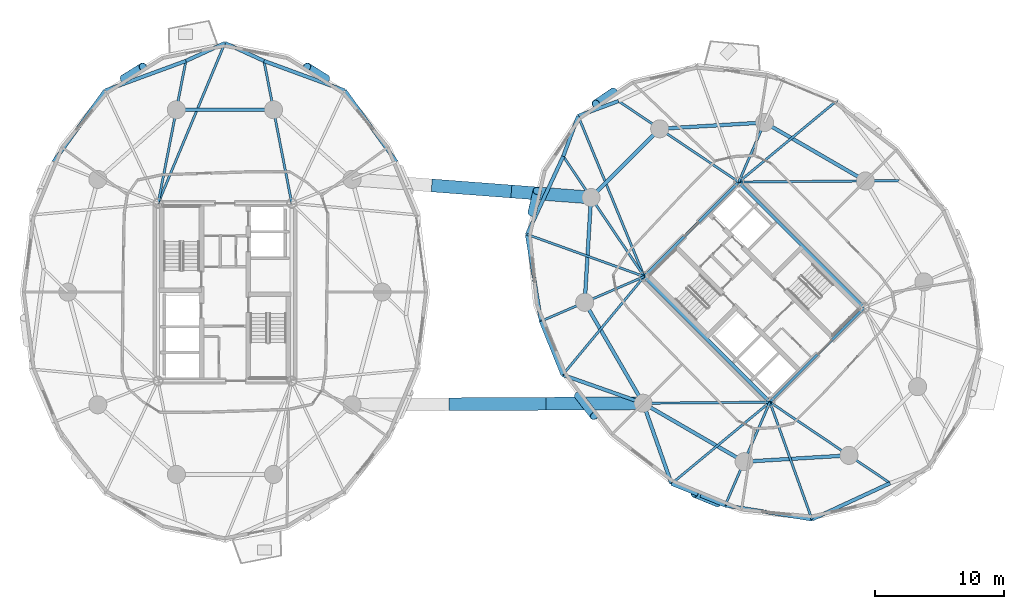
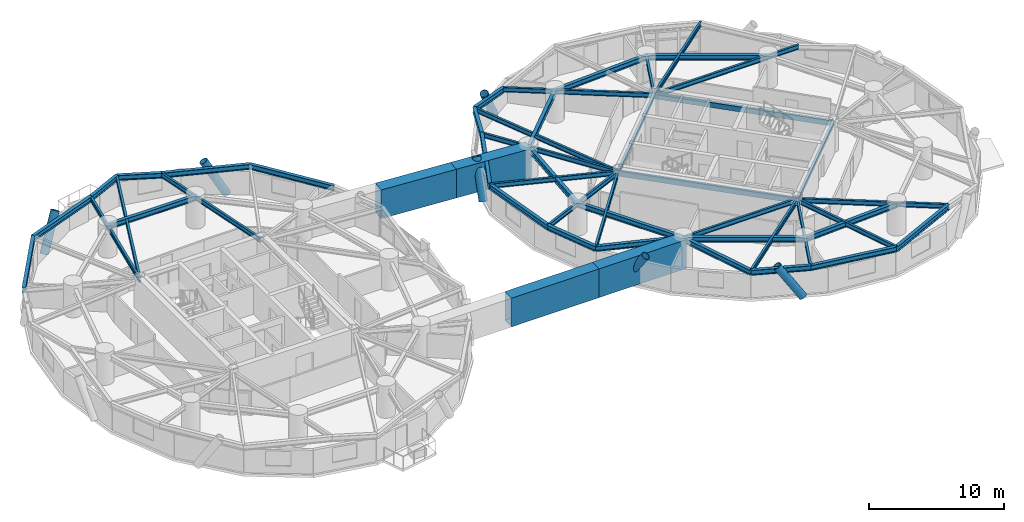
# One storey, part 5 of 18: 49 beams, 6 members.
"""IFC4 building model written with IfcOpenShell, lengths in metres."""

from ifc_helpers import new_model, si_unit, direction, frame, origin, origin_2d, place, context, subcontext, project, spatial, hollow_rectangle, hollow_circle, i_section, extrude, material, material_profile, profile_set, type_object, element, save


model = new_model("IFC4")

# Units and contexts
model_context = context("Model", 3, precision=1e-05, world=origin(), true_north=direction((0.0, 1.0)))
body_context = subcontext(model_context, "Body", "Model", "MODEL_VIEW")
ifc_project = project(units=[si_unit("LENGTHUNIT", "METRE"), si_unit("AREAUNIT", "SQUARE_METRE"), si_unit("VOLUMEUNIT", "CUBIC_METRE"), si_unit("PLANEANGLEUNIT", "RADIAN"), si_unit("MASSUNIT", "GRAM", prefix="KILO")], contexts=[model_context])

# Site, building, storey
site_placement = place(None, origin())
site = spatial("IfcSite", under=ifc_project, at=site_placement, CompositionType="ELEMENT")
building_placement = place(site_placement, origin())
building = spatial("IfcBuilding", under=site, at=building_placement, Name="Cununo Teusaquillo Station Towers", CompositionType="ELEMENT")
storey_placement = place(building_placement, frame((0.0, 0.0, 122.530029296875)))
storey = spatial("IfcBuildingStorey", under=building, at=storey_placement, Name="L39", CompositionType="ELEMENT", Elevation=122.530029296875)

# Beams
ifc_material_1 = material(Name="Steel EN 10025-2 S355J2", Category="steel")
ifc_material_profile_1 = material_profile(ifc_material_1, hollow_rectangle(XDim=0.25, YDim=0.449951171875, WallThickness=0.01611328125, at=origin_2d()), Name="RHS 450x250x16")
ifc_profile_set_1 = profile_set([ifc_material_profile_1], Name="Steel EN 10025-2 S355J2")
beam_type_1 = type_object("IfcBeamType", Name="BM-COUP-1", PredefinedType="USERDEFINED", material=ifc_profile_set_1)
for number, where, z_axis, x_axis, name in (
    (1, (58.70556640625, 15.975830078125, 2.405029296875), (-0.707106781187, 0.707106781187, 0.0), (-0.707106781187, -0.707106781187, 0.0), "L39 Tower B Core Beam 1"),
    (2, (66.024169921875, 23.29443359375, 2.405029296875), (-0.707106781187, 0.707106781187, 0.0), (-0.707106781187, -0.707106781187, 0.0), "L39 Tower B Core Beam 2"),
):
    element("IfcBeam", number, at=place(storey_placement, frame(where, z_axis=z_axis, x_axis=x_axis)), inside=storey, type_object=beam_type_1, Name=name, ObjectType="COUPLING BEAM", PredefinedType="USERDEFINED", context=body_context, shape_type="SweptSolid", body=[
        extrude(hollow_rectangle(XDim=0.25, YDim=0.449951171875, WallThickness=0.01611328125, at=origin_2d()), origin(), (0.0, 0.0, 1.0), 13.760009765625),
    ])
ifc_material_2 = material(Name="Steel ASTM A572 Grade 50", Category="steel")
ifc_material_profile_2 = material_profile(ifc_material_2, i_section(OverallWidth=0.180908203125, OverallDepth=0.4169921875, WebThickness=0.010986328125, FlangeThickness=0.018310546875, FilletRadius=0.012939453125, at=origin_2d()), Name="W16X57")
ifc_profile_set_2 = profile_set([ifc_material_profile_2], Name="Steel ASTM A572 Grade 50")
beam_type_2 = type_object("IfcBeamType", Name="BM-JOIST-1", PredefinedType="JOIST", material=ifc_profile_set_2)
beam_1_placement = place(storey_placement, frame((11.324951171875, 31.3798828125, 2.42138671875), z_axis=(0.38487837995, 0.922967297713, 0.0), x_axis=(-0.922967297713, 0.38487837995, 0.0)))
element("IfcBeam", 3, at=beam_1_placement, inside=storey, type_object=beam_type_2, Name="L39 Tower A Radial Spandrel Joist V05", PredefinedType="JOIST", context=body_context, shape_type="SweptSolid", body=[
    extrude(i_section(OverallWidth=0.180908203125, OverallDepth=0.4169921875, WebThickness=0.010986328125, FlangeThickness=0.018310546875, FilletRadius=0.012939453125, at=origin_2d()), origin(), (0.0, 0.0, 1.0), 13.446044921875),
])
beam_2_placement = place(storey_placement, frame((56.29443359375, 33.024169921875, 2.42138671875), z_axis=(0.769727799615, 0.638372238196, 0.0), x_axis=(-0.638372238196, 0.769727799615, 0.0)))
element("IfcBeam", 4, at=beam_2_placement, inside=storey, type_object=beam_type_2, Name="L39 Tower B Radial Spandrel Joist V01", PredefinedType="JOIST", context=body_context, shape_type="SweptSolid", body=[
    extrude(i_section(OverallWidth=0.180908203125, OverallDepth=0.4169921875, WebThickness=0.010986328125, FlangeThickness=0.018310546875, FilletRadius=0.012939453125, at=origin_2d()), origin(), (0.0, 0.0, 1.0), 9.895263671875),
])
beam_3_placement = place(storey_placement, frame((48.975830078125, 25.70556640625, 2.42138671875), z_axis=(-0.380485864505, 0.924786735908, 0.0), x_axis=(-0.924786735908, -0.380485864505, 0.0)))
element("IfcBeam", 5, at=beam_3_placement, inside=storey, type_object=beam_type_2, Name="L39 Tower B Radial Spandrel Joist V05", PredefinedType="JOIST", context=body_context, shape_type="SweptSolid", body=[
    extrude(i_section(OverallWidth=0.180908203125, OverallDepth=0.4169921875, WebThickness=0.010986328125, FlangeThickness=0.018310546875, FilletRadius=0.012939453125, at=origin_2d()), origin(), (0.0, 0.0, 1.0), 13.44580078125),
])
beam_4_placement = place(storey_placement, frame((48.975830078125, 25.70556640625, 2.42138671875), z_axis=(-0.941082771055, 0.338176312038, 0.0), x_axis=(-0.338176312038, -0.941082771055, 0.0)))
element("IfcBeam", 6, at=beam_4_placement, inside=storey, type_object=beam_type_2, Name="L39 Tower B Radial Spandrel Joist V07", PredefinedType="JOIST", context=body_context, shape_type="SweptSolid", body=[
    extrude(i_section(OverallWidth=0.180908203125, OverallDepth=0.4169921875, WebThickness=0.010986328125, FlangeThickness=0.018310546875, FilletRadius=0.012939453125, at=origin_2d()), origin(), (0.0, 0.0, 1.0), 9.646484375),
])
for number, where, z_axis, x_axis, name in (
    (7, (48.975830078125, 25.70556640625, 2.42138671875), (-0.638372238196, -0.769727799615, 0.0), (0.769727799615, -0.638372238196, 0.0), "L39 Tower B Radial Spandrel Joist V09"),
    (8, (58.70556640625, 15.975830078125, 2.42138671875), (-0.769727799615, -0.638372238196, 0.0), (0.638372238196, -0.769727799615, 0.0), "L39 Tower B Radial Spandrel Joist V11"),
):
    element("IfcBeam", number, at=place(storey_placement, frame(where, z_axis=z_axis, x_axis=x_axis)), inside=storey, type_object=beam_type_2, Name=name, PredefinedType="JOIST", context=body_context, shape_type="SweptSolid", body=[
        extrude(i_section(OverallWidth=0.180908203125, OverallDepth=0.4169921875, WebThickness=0.010986328125, FlangeThickness=0.018310546875, FilletRadius=0.012939453125, at=origin_2d()), origin(), (0.0, 0.0, 1.0), 9.895263671875),
    ])
beam_5_placement = place(storey_placement, frame((58.70556640625, 15.975830078125, 2.42138671875), z_axis=(0.338176312038, -0.941082771055, 0.0), x_axis=(0.941082771055, 0.338176312038, 0.0)))
element("IfcBeam", 9, at=beam_5_placement, inside=storey, type_object=beam_type_2, Name="L39 Tower B Radial Spandrel Joist V13", PredefinedType="JOIST", context=body_context, shape_type="SweptSolid", body=[
    extrude(i_section(OverallWidth=0.180908203125, OverallDepth=0.4169921875, WebThickness=0.010986328125, FlangeThickness=0.018310546875, FilletRadius=0.012939453125, at=origin_2d()), origin(), (0.0, 0.0, 1.0), 9.646484375),
])
ifc_material_3 = material(Name="Steel ASTM A572 Grade 50", Category="steel")
ifc_material_profile_3 = material_profile(ifc_material_3, i_section(OverallWidth=0.2041015625, OverallDepth=0.35009765625, WebThickness=0.008544921875, FlangeThickness=0.01513671875, FilletRadius=0.011962890625, at=origin_2d()), Name="W14X48")
ifc_profile_set_3 = profile_set([ifc_material_profile_3], Name="Steel ASTM A572 Grade 50")
beam_type_3 = type_object("IfcBeamType", Name="BM-LINTEL-1", PredefinedType="LINTEL", material=ifc_profile_set_3)
for number, where, z_axis, x_axis, name in (
    (10, (58.70556640625, 15.975830078125, 2.455078125), (0.707106781187, 0.707106781187, 0.0), (-0.707106781187, 0.707106781187, 0.0), "L39 Tower B Core Beam 3"),
    (11, (48.975830078125, 25.70556640625, 2.455078125), (0.707106781187, 0.707106781187, 0.0), (-0.707106781187, 0.707106781187, 0.0), "L39 Tower B Core Beam 4"),
):
    element("IfcBeam", number, at=place(storey_placement, frame(where, z_axis=z_axis, x_axis=x_axis)), inside=storey, type_object=beam_type_3, Name=name, PredefinedType="LINTEL", context=body_context, shape_type="SweptSolid", body=[
        extrude(i_section(OverallWidth=0.2041015625, OverallDepth=0.35009765625, WebThickness=0.008544921875, FlangeThickness=0.01513671875, FilletRadius=0.011962890625, at=origin_2d()), origin(), (0.0, 0.0, 1.0), 10.35009765625),
    ])
ifc_material_4 = material(Name="Steel ASTM A572 Grade 50", Category="steel")
ifc_material_profile_4 = material_profile(ifc_material_4, i_section(OverallWidth=0.180908203125, OverallDepth=0.4169921875, WebThickness=0.010986328125, FlangeThickness=0.018310546875, FilletRadius=0.012939453125, at=origin_2d()), Name="W16X57")
ifc_profile_set_4 = profile_set([ifc_material_profile_4], Name="Steel ASTM A572 Grade 50")
beam_type_4 = type_object("IfcBeamType", Name="BM-RAD-G2", PredefinedType="BEAM", material=ifc_profile_set_4)
for number, where, z_axis, x_axis, name in (
    (12, (21.675048828125, 31.3798828125, 2.42138671875), (-0.191552755713, 0.981482318628, 0.0), (-0.981482318628, -0.191552755713, 0.0), "L39 Tower A Continuous Overhanging Radial Girder 03"),
    (13, (11.324951171875, 31.3798828125, 2.42138671875), (0.191552755713, 0.981482318628, 0.0), (-0.981482318628, 0.191552755713, 0.0), "L39 Tower A Continuous Overhanging Radial Girder 04"),
):
    element("IfcBeam", number, at=place(storey_placement, frame(where, z_axis=z_axis, x_axis=x_axis)), inside=storey, type_object=beam_type_4, Name=name, PredefinedType="BEAM", context=body_context, shape_type="SweptSolid", body=[
        extrude(i_section(OverallWidth=0.180908203125, OverallDepth=0.4169921875, WebThickness=0.010986328125, FlangeThickness=0.018310546875, FilletRadius=0.012939453125, at=origin_2d()), origin(), (0.0, 0.0, 1.0), 11.22998046875),
    ])
beam_6_placement = place(storey_placement, frame((56.29443359375, 33.024169921875, 2.42138671875), z_axis=(0.999964331255, 0.008446077024, 0.0), x_axis=(-0.008446077024, 0.999964331255, 0.0)))
element("IfcBeam", 14, at=beam_6_placement, inside=storey, type_object=beam_type_4, Name="L39 Tower B Continuous Overhanging Radial Girder 01", PredefinedType="BEAM", context=body_context, shape_type="SweptSolid", body=[
    extrude(i_section(OverallWidth=0.180908203125, OverallDepth=0.4169921875, WebThickness=0.010986328125, FlangeThickness=0.018310546875, FilletRadius=0.012939453125, at=origin_2d()), origin(), (0.0, 0.0, 1.0), 12.400634765625),
])
beam_7_placement = place(storey_placement, frame((56.29443359375, 33.024169921875, 2.42138671875), z_axis=(0.397346986387, 0.917668443616, 0.0), x_axis=(-0.917668443616, 0.397346986387, 0.0)))
element("IfcBeam", 15, at=beam_7_placement, inside=storey, type_object=beam_type_4, Name="L39 Tower B Radial Girder 02A", PredefinedType="BEAM", context=body_context, shape_type="SweptSolid", body=[
    extrude(i_section(OverallWidth=0.180908203125, OverallDepth=0.4169921875, WebThickness=0.010986328125, FlangeThickness=0.018310546875, FilletRadius=0.012939453125, at=origin_2d()), origin(), (0.0, 0.0, 1.0), 5.02490234375),
])
for number, where, z_axis, x_axis, name in (
    (16, (56.29443359375, 33.024169921875, 2.42138671875), (-0.82945583878, 0.558572297481, 0.0), (-0.558572297481, -0.82945583878, 0.0), "L39 Tower B Continuous Overhanging Radial Girder 03"),
    (17, (48.975830078125, 25.70556640625, 2.42138671875), (-0.558572297481, 0.82945583878, 0.0), (-0.82945583878, -0.558572297481, 0.0), "L39 Tower B Continuous Overhanging Radial Girder 04"),
):
    element("IfcBeam", number, at=place(storey_placement, frame(where, z_axis=z_axis, x_axis=x_axis)), inside=storey, type_object=beam_type_4, Name=name, PredefinedType="BEAM", context=body_context, shape_type="SweptSolid", body=[
        extrude(i_section(OverallWidth=0.180908203125, OverallDepth=0.4169921875, WebThickness=0.010986328125, FlangeThickness=0.018310546875, FilletRadius=0.012939453125, at=origin_2d()), origin(), (0.0, 0.0, 1.0), 11.22998046875),
    ])
beam_8_placement = place(storey_placement, frame((48.975830078125, 25.70556640625, 2.42138671875), z_axis=(-0.917654733344, -0.397378648609, 0.0), x_axis=(0.397378648609, -0.917654733344, 0.0)))
element("IfcBeam", 18, at=beam_8_placement, inside=storey, type_object=beam_type_4, Name="L39 Tower B Continuous Overhanging Radial Girder 05", PredefinedType="BEAM", context=body_context, shape_type="SweptSolid", body=[
    extrude(i_section(OverallWidth=0.180908203125, OverallDepth=0.4169921875, WebThickness=0.010986328125, FlangeThickness=0.018310546875, FilletRadius=0.012939453125, at=origin_2d()), origin(), (0.0, 0.0, 1.0), 8.71484375),
])
beam_9_placement = place(storey_placement, frame((58.70556640625, 15.975830078125, 2.42138671875), z_axis=(-0.999964431382, -0.008434214327, 0.0), x_axis=(0.008434214327, -0.999964431382, 0.0)))
element("IfcBeam", 19, at=beam_9_placement, inside=storey, type_object=beam_type_4, Name="L39 Tower B Radial Girder 06A", PredefinedType="BEAM", context=body_context, shape_type="SweptSolid", body=[
    extrude(i_section(OverallWidth=0.180908203125, OverallDepth=0.4169921875, WebThickness=0.010986328125, FlangeThickness=0.018310546875, FilletRadius=0.012939453125, at=origin_2d()), origin(), (0.0, 0.0, 1.0), 9.812744140625),
])
beam_10_placement = place(storey_placement, frame((58.70556640625, 15.975830078125, 2.42138671875), z_axis=(-0.397378648609, -0.917654733344, 0.0), x_axis=(0.917654733344, -0.397378648609, 0.0)))
element("IfcBeam", 20, at=beam_10_placement, inside=storey, type_object=beam_type_4, Name="L39 Tower B Continuous Overhanging Radial Girder 07", PredefinedType="BEAM", context=body_context, shape_type="SweptSolid", body=[
    extrude(i_section(OverallWidth=0.180908203125, OverallDepth=0.4169921875, WebThickness=0.010986328125, FlangeThickness=0.018310546875, FilletRadius=0.012939453125, at=origin_2d()), origin(), (0.0, 0.0, 1.0), 8.71484375),
])
beam_11_placement = place(storey_placement, frame((58.70556640625, 15.975830078125, 2.42138671875), z_axis=(0.82945583878, -0.558572297481, 0.0), x_axis=(0.558572297481, 0.82945583878, 0.0)))
element("IfcBeam", 21, at=beam_11_placement, inside=storey, type_object=beam_type_4, Name="L39 Tower B Continuous Overhanging Radial Girder 08", PredefinedType="BEAM", context=body_context, shape_type="SweptSolid", body=[
    extrude(i_section(OverallWidth=0.180908203125, OverallDepth=0.4169921875, WebThickness=0.010986328125, FlangeThickness=0.018310546875, FilletRadius=0.012939453125, at=origin_2d()), origin(), (0.0, 0.0, 1.0), 11.22998046875),
])
ifc_material_5 = material(Name="Steel ASTM A572 Grade 50", Category="steel")
ifc_material_profile_5 = material_profile(ifc_material_5, i_section(OverallWidth=0.280029296875, OverallDepth=0.462890625, WebThickness=0.0107421875, FlangeThickness=0.017333984375, FilletRadius=0.013916015625, at=origin_2d()), Name="W18X76")
ifc_profile_set_5 = profile_set([ifc_material_profile_5], Name="Steel ASTM A572 Grade 50")
beam_type_5 = type_object("IfcBeamType", Name="BM-RING-Z2", PredefinedType="SPANDREL", material=ifc_profile_set_5)
beam_12_placement = place(storey_placement, frame((20.261474609375, 38.623291015625, 2.3984375), z_axis=(-1.0, 0.0, 0.0), x_axis=(0.0, -1.0, 0.0)))
element("IfcBeam", 22, at=beam_12_placement, inside=storey, type_object=beam_type_5, Name="L39 Tower A Structural Column Ring Girder 03", PredefinedType="SPANDREL", context=body_context, shape_type="SweptSolid", body=[
    extrude(i_section(OverallWidth=0.280029296875, OverallDepth=0.462890625, WebThickness=0.0107421875, FlangeThickness=0.017333984375, FilletRadius=0.013916015625, at=origin_2d()), origin(), (0.0, 0.0, 1.0), 7.52294921875),
])
beam_13_placement = place(storey_placement, frame((29.77880859375, 34.586181640625, 2.3984375), z_axis=(-0.58594455724, 0.810351143543, 0.0), x_axis=(-0.810351143543, -0.58594455724, 0.0)))
element("IfcBeam", 23, at=beam_13_placement, inside=storey, type_object=beam_type_5, Name="L39 Tower A Spandrel Ring Beam 03", PredefinedType="SPANDREL", context=body_context, shape_type="SweptSolid", body=[
    extrude(i_section(OverallWidth=0.280029296875, OverallDepth=0.462890625, WebThickness=0.0107421875, FlangeThickness=0.017333984375, FilletRadius=0.013916015625, at=origin_2d()), origin(), (0.0, 0.0, 1.0), 6.8115234375),
])
beam_14_placement = place(storey_placement, frame((25.78759765625, 40.10595703125, 2.3984375), z_axis=(-0.938914161016, 0.34415141761, 0.0), x_axis=(-0.34415141761, -0.938914161016, 0.0)))
element("IfcBeam", 24, at=beam_14_placement, inside=storey, type_object=beam_type_5, Name="L39 Tower A Spandrel Ring Beam 04", PredefinedType="SPANDREL", context=body_context, shape_type="SweptSolid", body=[
    extrude(i_section(OverallWidth=0.280029296875, OverallDepth=0.462890625, WebThickness=0.0107421875, FlangeThickness=0.017333984375, FilletRadius=0.013916015625, at=origin_2d()), origin(), (0.0, 0.0, 1.0), 6.671142578125),
])
for number, where, z_axis, x_axis, name in (
    (25, (19.52392578125, 42.40185546875, 2.3984375), (-0.908812215281, 0.417205413862, 0.0), (-0.417205413862, -0.908812215281, 0.0), "L39 Tower A Spandrel Ring Beam 05"),
    (26, (16.5, 43.7900390625, 2.3984375), (-0.908812215281, -0.417205413862, 0.0), (0.417205413862, -0.908812215281, 0.0), "L39 Tower A Spandrel Ring Beam 06"),
):
    element("IfcBeam", number, at=place(storey_placement, frame(where, z_axis=z_axis, x_axis=x_axis)), inside=storey, type_object=beam_type_5, Name=name, PredefinedType="SPANDREL", context=body_context, shape_type="SweptSolid", body=[
        extrude(i_section(OverallWidth=0.280029296875, OverallDepth=0.462890625, WebThickness=0.0107421875, FlangeThickness=0.017333984375, FilletRadius=0.013916015625, at=origin_2d()), origin(), (0.0, 0.0, 1.0), 3.327392578125),
    ])
beam_15_placement = place(storey_placement, frame((13.47607421875, 42.40185546875, 2.3984375), z_axis=(-0.938914161016, -0.34415141761, 0.0), x_axis=(0.34415141761, -0.938914161016, 0.0)))
element("IfcBeam", 27, at=beam_15_placement, inside=storey, type_object=beam_type_5, Name="L39 Tower A Spandrel Ring Beam 07", PredefinedType="SPANDREL", context=body_context, shape_type="SweptSolid", body=[
    extrude(i_section(OverallWidth=0.280029296875, OverallDepth=0.462890625, WebThickness=0.0107421875, FlangeThickness=0.017333984375, FilletRadius=0.013916015625, at=origin_2d()), origin(), (0.0, 0.0, 1.0), 6.671142578125),
])
beam_16_placement = place(storey_placement, frame((7.21240234375, 40.10595703125, 2.3984375), z_axis=(-0.58594455724, -0.810351143543, 0.0), x_axis=(0.810351143543, -0.58594455724, 0.0)))
element("IfcBeam", 28, at=beam_16_placement, inside=storey, type_object=beam_type_5, Name="L39 Tower A Spandrel Ring Beam 08", PredefinedType="SPANDREL", context=body_context, shape_type="SweptSolid", body=[
    extrude(i_section(OverallWidth=0.280029296875, OverallDepth=0.462890625, WebThickness=0.0107421875, FlangeThickness=0.017333984375, FilletRadius=0.013916015625, at=origin_2d()), origin(), (0.0, 0.0, 1.0), 6.8115234375),
])
beam_17_placement = place(storey_placement, frame((66.10693359375, 33.10693359375, 2.3984375), z_axis=(-0.865267103202, 0.501311121078, 0.0), x_axis=(-0.501311121078, -0.865267103202, 0.0)))
element("IfcBeam", 29, at=beam_17_placement, inside=storey, type_object=beam_type_5, Name="L39 Tower B Structural Column Ring Girder 01", PredefinedType="SPANDREL", context=body_context, shape_type="SweptSolid", body=[
    extrude(i_section(OverallWidth=0.280029296875, OverallDepth=0.462890625, WebThickness=0.0107421875, FlangeThickness=0.017333984375, FilletRadius=0.013916015625, at=origin_2d()), origin(), (0.0, 0.0, 1.0), 9.032958984375),
])
beam_18_placement = place(storey_placement, frame((58.291015625, 37.63525390625, 2.3984375), z_axis=(-0.998190567048, -0.06012979176, 0.0), x_axis=(0.06012979176, -0.998190567048, 0.0)))
element("IfcBeam", 30, at=beam_18_placement, inside=storey, type_object=beam_type_5, Name="L39 Tower B Structural Column Ring Girder 02", PredefinedType="SPANDREL", context=body_context, shape_type="SweptSolid", body=[
    extrude(i_section(OverallWidth=0.280029296875, OverallDepth=0.462890625, WebThickness=0.0107421875, FlangeThickness=0.017333984375, FilletRadius=0.013916015625, at=origin_2d()), origin(), (0.0, 0.0, 1.0), 8.132568359375),
])
beam_19_placement = place(storey_placement, frame((50.173095703125, 37.146240234375, 2.3984375), z_axis=(-0.707106781187, -0.707106781187, 0.0), x_axis=(0.707106781187, -0.707106781187, 0.0)))
element("IfcBeam", 31, at=beam_19_placement, inside=storey, type_object=beam_type_5, Name="L39 Tower B Structural Column Ring Girder 03", PredefinedType="SPANDREL", context=body_context, shape_type="SweptSolid", body=[
    extrude(i_section(OverallWidth=0.280029296875, OverallDepth=0.462890625, WebThickness=0.0107421875, FlangeThickness=0.017333984375, FilletRadius=0.013916015625, at=origin_2d()), origin(), (0.0, 0.0, 1.0), 7.522705078125),
])
beam_20_placement = place(storey_placement, frame((44.853759765625, 31.826904296875, 2.3984375), z_axis=(-0.06012979176, -0.998190567048, 0.0), x_axis=(0.998190567048, -0.06012979176, 0.0)))
element("IfcBeam", 32, at=beam_20_placement, inside=storey, type_object=beam_type_5, Name="L39 Tower B Structural Column Ring Girder 04", PredefinedType="SPANDREL", context=body_context, shape_type="SweptSolid", body=[
    extrude(i_section(OverallWidth=0.280029296875, OverallDepth=0.462890625, WebThickness=0.0107421875, FlangeThickness=0.017333984375, FilletRadius=0.013916015625, at=origin_2d()), origin(), (0.0, 0.0, 1.0), 8.132568359375),
])
for number, where, z_axis, x_axis, name in (
    (33, (44.36474609375, 23.708984375, 2.3984375), (0.501311121078, -0.865267103202, 0.0), (0.865267103202, 0.501311121078, 0.0), "L39 Tower B Structural Column Ring Girder 05"),
    (34, (48.89306640625, 15.89306640625, 2.3984375), (0.865267103202, -0.501311121078, 0.0), (0.501311121078, 0.865267103202, 0.0), "L39 Tower B Structural Column Ring Girder 06"),
):
    element("IfcBeam", number, at=place(storey_placement, frame(where, z_axis=z_axis, x_axis=x_axis)), inside=storey, type_object=beam_type_5, Name=name, PredefinedType="SPANDREL", context=body_context, shape_type="SweptSolid", body=[
        extrude(i_section(OverallWidth=0.280029296875, OverallDepth=0.462890625, WebThickness=0.0107421875, FlangeThickness=0.017333984375, FilletRadius=0.013916015625, at=origin_2d()), origin(), (0.0, 0.0, 1.0), 9.032958984375),
    ])
beam_21_placement = place(storey_placement, frame((56.708984375, 11.36474609375, 2.3984375), z_axis=(0.998190567048, 0.06012979176, 0.0), x_axis=(-0.06012979176, 0.998190567048, 0.0)))
element("IfcBeam", 35, at=beam_21_placement, inside=storey, type_object=beam_type_5, Name="L39 Tower B Structural Column Ring Girder 07", PredefinedType="SPANDREL", context=body_context, shape_type="SweptSolid", body=[
    extrude(i_section(OverallWidth=0.280029296875, OverallDepth=0.462890625, WebThickness=0.0107421875, FlangeThickness=0.017333984375, FilletRadius=0.013916015625, at=origin_2d()), origin(), (0.0, 0.0, 1.0), 8.132568359375),
])
for number, where, z_axis, x_axis, name in (
    (36, (46.979736328125, 39.296875, 2.3984375), (-0.937628334414, -0.347639333943, 0.0), (0.347639333943, -0.937628334414, 0.0), "L39 Tower B Spandrel Ring Beam 05"),
    (37, (43.85986328125, 38.14013671875, 2.3984375), (-0.347639333943, -0.937628334414, 0.0), (0.937628334414, -0.347639333943, 0.0), "L39 Tower B Spandrel Ring Beam 06"),
):
    element("IfcBeam", number, at=place(storey_placement, frame(where, z_axis=z_axis, x_axis=x_axis)), inside=storey, type_object=beam_type_5, Name=name, PredefinedType="SPANDREL", context=body_context, shape_type="SweptSolid", body=[
        extrude(i_section(OverallWidth=0.280029296875, OverallDepth=0.462890625, WebThickness=0.0107421875, FlangeThickness=0.017333984375, FilletRadius=0.013916015625, at=origin_2d()), origin(), (0.0, 0.0, 1.0), 3.327392578125),
    ])
beam_22_placement = place(storey_placement, frame((42.703125, 35.020263671875, 2.3984375), z_axis=(-0.420535961689, -0.907275870354, 0.0), x_axis=(0.907275870354, -0.420535961689, 0.0)))
element("IfcBeam", 38, at=beam_22_placement, inside=storey, type_object=beam_type_5, Name="L39 Tower B Spandrel Ring Beam 07", PredefinedType="SPANDREL", context=body_context, shape_type="SweptSolid", body=[
    extrude(i_section(OverallWidth=0.280029296875, OverallDepth=0.462890625, WebThickness=0.0107421875, FlangeThickness=0.017333984375, FilletRadius=0.013916015625, at=origin_2d()), origin(), (0.0, 0.0, 1.0), 6.671142578125),
])
beam_23_placement = place(storey_placement, frame((39.897705078125, 28.9677734375, 2.3984375), z_axis=(0.158671232312, -0.987331474246, 0.0), x_axis=(0.987331474246, 0.158671232312, 0.0)))
element("IfcBeam", 39, at=beam_23_placement, inside=storey, type_object=beam_type_5, Name="L39 Tower B Spandrel Ring Beam 08", PredefinedType="SPANDREL", context=body_context, shape_type="SweptSolid", body=[
    extrude(i_section(OverallWidth=0.280029296875, OverallDepth=0.462890625, WebThickness=0.0107421875, FlangeThickness=0.017333984375, FilletRadius=0.013916015625, at=origin_2d()), origin(), (0.0, 0.0, 1.0), 6.8115234375),
])
beam_24_placement = place(storey_placement, frame((40.978515625, 22.242431640625, 2.3984375), z_axis=(0.375042266631, -0.927007712072, 0.0), x_axis=(0.927007712072, 0.375042266631, 0.0)))
element("IfcBeam", 40, at=beam_24_placement, inside=storey, type_object=beam_type_5, Name="L39 Tower B Spandrel Ring Beam 09", PredefinedType="SPANDREL", context=body_context, shape_type="SweptSolid", body=[
    extrude(i_section(OverallWidth=0.280029296875, OverallDepth=0.462890625, WebThickness=0.0107421875, FlangeThickness=0.017333984375, FilletRadius=0.013916015625, at=origin_2d()), origin(), (0.0, 0.0, 1.0), 4.480712890625),
])
for number, where, z_axis, x_axis, name in (
    (41, (42.658935546875, 18.0888671875, 2.3984375), (0.943202901767, -0.332217227276, 0.0), (0.332217227276, 0.943202901767, 0.0), "L39 Tower B Spandrel Ring Beam 10"),
    (42, (48.89306640625, 15.89306640625, 2.3984375), (0.332217227276, -0.943202901767, 0.0), (0.943202901767, 0.332217227276, 0.0), "L39 Tower B Spandrel Ring Beam 11"),
):
    element("IfcBeam", number, at=place(storey_placement, frame(where, z_axis=z_axis, x_axis=x_axis)), inside=storey, type_object=beam_type_5, Name=name, PredefinedType="SPANDREL", context=body_context, shape_type="SweptSolid", body=[
        extrude(i_section(OverallWidth=0.280029296875, OverallDepth=0.462890625, WebThickness=0.0107421875, FlangeThickness=0.017333984375, FilletRadius=0.013916015625, at=origin_2d()), origin(), (0.0, 0.0, 1.0), 6.609619140625),
    ])
beam_25_placement = place(storey_placement, frame((51.0888671875, 9.658935546875, 2.3984375), z_axis=(0.927007712072, -0.375042266631, 0.0), x_axis=(0.375042266631, 0.927007712072, 0.0)))
element("IfcBeam", 43, at=beam_25_placement, inside=storey, type_object=beam_type_5, Name="L39 Tower B Spandrel Ring Beam 12", PredefinedType="SPANDREL", context=body_context, shape_type="SweptSolid", body=[
    extrude(i_section(OverallWidth=0.280029296875, OverallDepth=0.462890625, WebThickness=0.0107421875, FlangeThickness=0.017333984375, FilletRadius=0.013916015625, at=origin_2d()), origin(), (0.0, 0.0, 1.0), 4.480712890625),
])
beam_26_placement = place(storey_placement, frame((55.242431640625, 7.978515625, 2.3984375), z_axis=(0.987331474246, -0.158671232312, 0.0), x_axis=(0.158671232312, 0.987331474246, 0.0)))
element("IfcBeam", 44, at=beam_26_placement, inside=storey, type_object=beam_type_5, Name="L39 Tower B Spandrel Ring Beam 13", PredefinedType="SPANDREL", context=body_context, shape_type="SweptSolid", body=[
    extrude(i_section(OverallWidth=0.280029296875, OverallDepth=0.462890625, WebThickness=0.0107421875, FlangeThickness=0.017333984375, FilletRadius=0.013916015625, at=origin_2d()), origin(), (0.0, 0.0, 1.0), 6.8115234375),
])
beam_27_placement = place(storey_placement, frame((61.9677734375, 6.897705078125, 2.3984375), z_axis=(0.907275870354, 0.420535961689, 0.0), x_axis=(-0.420535961689, 0.907275870354, 0.0)))
element("IfcBeam", 45, at=beam_27_placement, inside=storey, type_object=beam_type_5, Name="L39 Tower B Spandrel Ring Beam 14", PredefinedType="SPANDREL", context=body_context, shape_type="SweptSolid", body=[
    extrude(i_section(OverallWidth=0.280029296875, OverallDepth=0.462890625, WebThickness=0.0107421875, FlangeThickness=0.017333984375, FilletRadius=0.013916015625, at=origin_2d()), origin(), (0.0, 0.0, 1.0), 6.671142578125),
])
ifc_material_6 = material(Name="Steel ASTM A572 Grade 50", Category="steel")
ifc_material_profile_6 = material_profile(ifc_material_6, hollow_rectangle(XDim=1.0, YDim=2.60009765625, WallThickness=0.054931640625, at=origin_2d()), Name="BOX 2600x1000x55")
ifc_profile_set_6 = profile_set([ifc_material_profile_6], Name="Steel ASTM A572 Grade 50")
beam_type_6 = type_object("IfcBeamType", Name="BM-XFER-POD", PredefinedType="USERDEFINED", material=ifc_profile_set_6)
beam_28_placement = place(storey_placement, frame((33.862548828125, 15.81201171875, 1.330078125), z_axis=(0.999985459376, 0.00539268359, 0.0), x_axis=(-0.00539268359, 0.999985459376, 0.0)))
element("IfcBeam", 46, at=beam_28_placement, inside=storey, type_object=beam_type_6, Name="L40 Mid-Bridge Primary Box Transfer Girder S.2", ObjectType="TRANSFER GIRDER", PredefinedType="USERDEFINED", context=body_context, shape_type="SweptSolid", body=[
    extrude(hollow_rectangle(XDim=1.0, YDim=2.60009765625, WallThickness=0.054931640625, at=origin_2d()), origin(), (0.0, 0.0, 1.0), 7.51513671875),
])
beam_29_placement = place(storey_placement, frame((41.377685546875, 15.8525390625, 1.330078125), z_axis=(0.999985460321, 0.005392508411, 0.0), x_axis=(-0.005392508411, 0.999985460321, 0.0)))
element("IfcBeam", 47, at=beam_29_placement, inside=storey, type_object=beam_type_6, Name="L40 Mid-Bridge Primary Box Transfer Girder S.3", ObjectType="TRANSFER GIRDER", PredefinedType="USERDEFINED", context=body_context, shape_type="SweptSolid", body=[
    extrude(hollow_rectangle(XDim=1.0, YDim=2.60009765625, WallThickness=0.054931640625, at=origin_2d()), origin(), (0.0, 0.0, 1.0), 7.515380859375),
])
beam_30_placement = place(storey_placement, frame((32.51611328125, 32.761474609375, 1.330078125), z_axis=(0.997143183449, -0.075534572886, 0.0), x_axis=(0.075534572886, 0.997143183449, 0.0)))
element("IfcBeam", 48, at=beam_30_placement, inside=storey, type_object=beam_type_6, Name="L40 Mid-Bridge Primary Box Transfer Girder N.2", ObjectType="TRANSFER GIRDER", PredefinedType="USERDEFINED", context=body_context, shape_type="SweptSolid", body=[
    extrude(hollow_rectangle(XDim=1.0, YDim=2.60009765625, WallThickness=0.054931640625, at=origin_2d()), origin(), (0.0, 0.0, 1.0), 6.186279296875),
])
beam_31_placement = place(storey_placement, frame((38.684814453125, 32.294189453125, 1.330078125), z_axis=(0.997143408598, -0.075531600604, 0.0), x_axis=(0.075531600604, 0.997143408598, 0.0)))
element("IfcBeam", 49, at=beam_31_placement, inside=storey, type_object=beam_type_6, Name="L40 Mid-Bridge Primary Box Transfer Girder N.3", ObjectType="TRANSFER GIRDER", PredefinedType="USERDEFINED", context=body_context, shape_type="SweptSolid", body=[
    extrude(hollow_rectangle(XDim=1.0, YDim=2.60009765625, WallThickness=0.054931640625, at=origin_2d()), origin(), (0.0, 0.0, 1.0), 6.1865234375),
])

# Members
ifc_material_7 = material(Name="Steel EN 10025-2 S355J2", Category="steel")
ifc_material_profile_7 = material_profile(ifc_material_7, hollow_circle(Radius=0.330078125, WallThickness=0.02490234375, at=origin_2d()), Name="CHS 660x25")
ifc_profile_set_7 = profile_set([ifc_material_profile_7], Name="Steel EN 10025-2 S355J2")
member_type = type_object("IfcMemberType", Name="MBR-DIAG-Z2", PredefinedType="BRACE", material=ifc_profile_set_7)
for number, where, z_axis, x_axis, name in (
    (50, (24.3193359375, 41.019287109375, -0.14013671875), (-0.433741137774, 0.269808047292, 0.859693109789), (-0.528195574716, -0.849122744278, 0.0), "L39 Tower A Folded-Zigzag Diagrid Tube C03"),
    (51, (8.6806640625, 41.019287109375, -0.14013671875), (0.433741137774, 0.269808047292, 0.859693109789), (-0.528195574716, 0.849122744278, 0.0), "L39 Tower A Folded-Zigzag Diagrid Tube C06"),
):
    element("IfcMember", number, at=place(storey_placement, frame(where, z_axis=z_axis, x_axis=x_axis)), inside=storey, type_object=member_type, Name=name, PredefinedType="BRACE", context=body_context, shape_type="SweptSolid", body=[
        extrude(hollow_circle(Radius=0.330078125, WallThickness=0.02490234375, at=origin_2d()), origin(), (0.0, 0.0, 1.0), 3.385009765625),
    ])
member_1_placement = place(storey_placement, frame((46.606689453125, 39.996826171875, -0.14013671875), z_axis=(-0.410046606979, -0.277155057731, 0.868934320924), x_axis=(0.559991322854, -0.828498472134, 0.0)))
element("IfcMember", 52, at=member_1_placement, inside=storey, type_object=member_type, Name="L39 Tower B Folded-Zigzag Diagrid Tube C04", PredefinedType="BRACE", context=body_context, shape_type="SweptSolid", body=[
    extrude(hollow_circle(Radius=0.330078125, WallThickness=0.02490234375, at=origin_2d()), origin(), (0.0, 0.0, 1.0), 3.34912109375),
])
member_2_placement = place(storey_placement, frame((40.2900390625, 30.651611328125, -0.14013671875), z_axis=(0.115899426578, 0.497494862811, 0.859689586069), x_axis=(-0.973920299704, 0.226890391653, 0.0)))
element("IfcMember", 53, at=member_2_placement, inside=storey, type_object=member_type, Name="L39 Tower B Folded-Zigzag Diagrid Tube C06", PredefinedType="BRACE", context=body_context, shape_type="SweptSolid", body=[
    extrude(hollow_circle(Radius=0.330078125, WallThickness=0.02490234375, at=origin_2d()), origin(), (0.0, 0.0, 1.0), 3.385009765625),
])
member_3_placement = place(storey_placement, frame((43.881591796875, 16.501708984375, -0.14013671875), z_axis=(0.346044496653, -0.449277419576, 0.823652236442), x_axis=(0.792243348803, 0.610205273886, 0.0)))
element("IfcMember", 54, at=member_3_placement, inside=storey, type_object=member_type, Name="L39 Tower B Folded-Zigzag Diagrid Tube C09", PredefinedType="BRACE", context=body_context, shape_type="SweptSolid", body=[
    extrude(hollow_circle(Radius=0.330078125, WallThickness=0.02490234375, at=origin_2d()), origin(), (0.0, 0.0, 1.0), 3.533203125),
])
member_4_placement = place(storey_placement, frame((54.681884765625, 8.181884765625, -0.14013671875), z_axis=(-0.513432884221, 0.211081064796, 0.831764063593), x_axis=(-0.380237656053, -0.924888817599, 0.0)))
element("IfcMember", 55, at=member_4_placement, inside=storey, type_object=member_type, Name="L39 Tower B Folded-Zigzag Diagrid Tube C11", PredefinedType="BRACE", context=body_context, shape_type="SweptSolid", body=[
    extrude(hollow_circle(Radius=0.330078125, WallThickness=0.02490234375, at=origin_2d()), origin(), (0.0, 0.0, 1.0), 3.498779296875),
])

save(model, "model.ifc")
